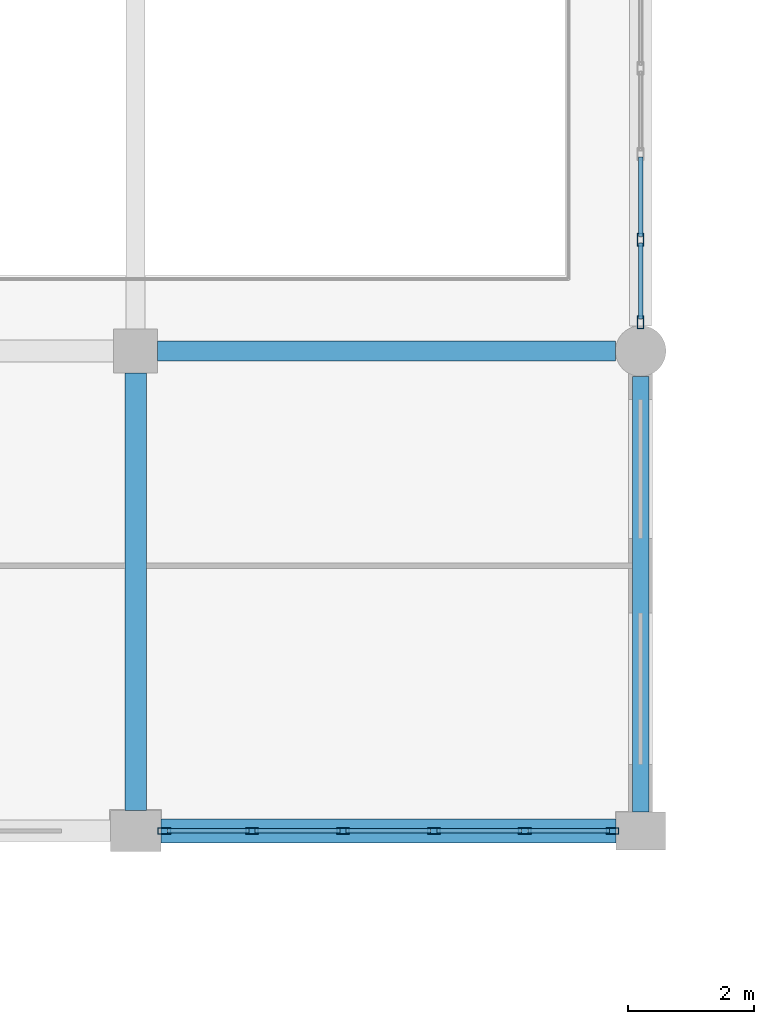
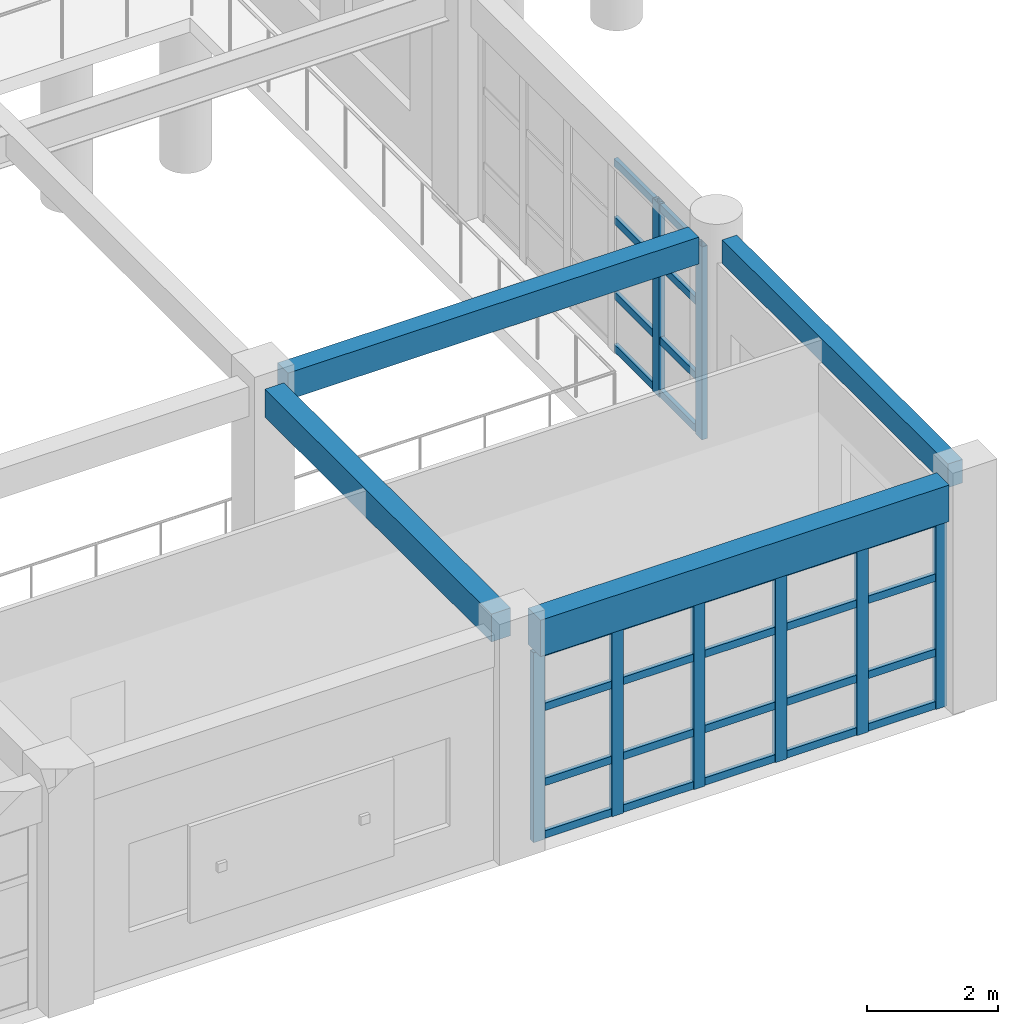
# One storey, part 80 of 166: 36 members, 4 beams, 2 elements without a shape of their own.
"""IFC4 building model written with IfcOpenShell, lengths in metres."""

from ifc_helpers import new_model, si_unit, direction, frame, origin, origin_2d, place, context, subcontext, project, spatial, rectangle, hollow_rectangle, extrude, material, material_profile, profile_set, type_object, element, aggregate, save


model = new_model("IFC4")

# Units and contexts
model_context = context("Model", 3, precision=1e-05, world=origin(), true_north=direction((0.0, 1.0)))
body_context = subcontext(model_context, "Body", "Model", "MODEL_VIEW")
ifc_project = project(units=[si_unit("LENGTHUNIT", "METRE"), si_unit("AREAUNIT", "SQUARE_METRE"), si_unit("VOLUMEUNIT", "CUBIC_METRE"), si_unit("PLANEANGLEUNIT", "RADIAN"), si_unit("MASSUNIT", "GRAM", prefix="KILO")], contexts=[model_context])

# Site, building, storey
site_placement = place(None, origin())
site = spatial("IfcSite", under=ifc_project, at=site_placement, CompositionType="ELEMENT")
building_placement = place(site_placement, origin())
building = spatial("IfcBuilding", under=site, at=building_placement, Name="Kharva Crest Polytechnic", CompositionType="ELEMENT")
storey_placement = place(building_placement, origin())
storey = spatial("IfcBuildingStorey", under=building, at=storey_placement, Name="L00", CompositionType="ELEMENT", Elevation=0.0)

# Beams
ifc_material_1 = material(Name="Concrete C35/45", Category="concrete")
ifc_material_profile_1 = material_profile(ifc_material_1, rectangle(XDim=0.320068359375, YDim=0.5, at=origin_2d()), Name="RECT 320 X 500")
ifc_profile_set_1 = profile_set([ifc_material_profile_1], Name="Concrete C35/45")
beam_type_1 = type_object("IfcBeamType", Name="BM-RC-320X500", PredefinedType="BEAM", material=ifc_profile_set_1)
beam_1_placement = place(storey_placement, frame((161.14990234375, 7.60009765625, 3.969970703125), z_axis=(1.0, 0.0, 0.0), x_axis=(0.0, 1.0, 0.0)))
element("IfcBeam", 1, at=beam_1_placement, inside=storey, type_object=beam_type_1, Name="L00 Beam B/21-22", PredefinedType="BEAM", context=body_context, shape_type="SweptSolid", body=[
    extrude(rectangle(XDim=0.320068359375, YDim=0.5, at=origin_2d()), origin(), (0.0, 0.0, 1.0), 7.25),
])
ifc_material_profile_2 = material_profile(ifc_material_1, rectangle(XDim=0.340087890625, YDim=0.52001953125, at=origin_2d()), Name="RECT 340 X 520")
ifc_profile_set_2 = profile_set([ifc_material_profile_2], Name="Concrete C35/45")
beam_type_2 = type_object("IfcBeamType", Name="BM-RC-340X520", PredefinedType="BEAM", material=ifc_profile_set_2)
beam_2_placement = place(storey_placement, frame((160.800048828125, 0.324951171875, 3.9599609375), z_axis=(0.0, 1.0, 0.0), x_axis=(-1.0, 0.0, 0.0)))
element("IfcBeam", 2, at=beam_2_placement, inside=storey, type_object=beam_type_2, Name="L00 Girder 21/A-B", PredefinedType="BEAM", context=body_context, shape_type="SweptSolid", body=[
    extrude(rectangle(XDim=0.340087890625, YDim=0.52001953125, at=origin_2d()), origin(), (0.0, 0.0, 1.0), 6.925048828125),
])

# Curtain wall, members
ifc_material_2 = material(Name="Tempered insulated glass", Category="glass")
curtain_wall_type = type_object("IfcCurtainWallType", Name="CW-SYS-REFECTORY", PredefinedType="USERDEFINED", material=ifc_material_2)
curtain_wall_1_placement = place(storey_placement, origin())
curtain_wall_1 = element("IfcCurtainWall", 3, at=curtain_wall_1_placement, inside=storey, type_object=curtain_wall_type, Name="L00 Glazed Curtain Wall CW-009", ObjectType="CURTAIN WALL", PredefinedType="USERDEFINED")
ifc_material_3 = material(Name="Steel S355", Category="steel")
ifc_material_profile_3 = material_profile(ifc_material_3, hollow_rectangle(XDim=0.10009765625, YDim=0.199951171875, WallThickness=0.00634765625, at=origin_2d()), Name="RHS 200X100X6.3")
ifc_profile_set_3 = profile_set([ifc_material_profile_3], Name="Steel S355")
member_type_1 = type_object("IfcMemberType", Name="CWM-RHS200X100", PredefinedType="MULLION", material=ifc_profile_set_3)
member_1_placement = place(storey_placement, frame((161.2548828125, 0.0, 0.0), z_axis=(0.0, 0.0, 1.0), x_axis=(0.0, 1.0, 0.0)))
member_1 = element("IfcMember", 4, at=member_1_placement, type_object=member_type_1, Name="CW-009 mullion 1", PredefinedType="MULLION", context=body_context, shape_type="SweptSolid", body=[
    extrude(hollow_rectangle(XDim=0.10009765625, YDim=0.199951171875, WallThickness=0.00634765625, at=origin_2d()), origin(), (0.0, 0.0, 1.0), 3.5400390625),
])
member_2_placement = place(storey_placement, frame((162.64501953125, 0.0, 0.0), z_axis=(0.0, 0.0, 1.0), x_axis=(0.0, 1.0, 0.0)))
member_2 = element("IfcMember", 5, at=member_2_placement, type_object=member_type_1, Name="CW-009 mullion 2", PredefinedType="MULLION", context=body_context, shape_type="SweptSolid", body=[
    extrude(hollow_rectangle(XDim=0.10009765625, YDim=0.199951171875, WallThickness=0.00634765625, at=origin_2d()), origin(), (0.0, 0.0, 1.0), 3.5400390625),
])
member_3_placement = place(storey_placement, frame((164.0849609375, 0.0, 0.0), z_axis=(0.0, 0.0, 1.0), x_axis=(0.0, 1.0, 0.0)))
member_3 = element("IfcMember", 6, at=member_3_placement, type_object=member_type_1, Name="CW-009 mullion 3", PredefinedType="MULLION", context=body_context, shape_type="SweptSolid", body=[
    extrude(hollow_rectangle(XDim=0.10009765625, YDim=0.199951171875, WallThickness=0.00634765625, at=origin_2d()), origin(), (0.0, 0.0, 1.0), 3.5400390625),
])
member_4_placement = place(storey_placement, frame((165.52490234375, 0.0, 0.0), z_axis=(0.0, 0.0, 1.0), x_axis=(0.0, 1.0, 0.0)))
member_4 = element("IfcMember", 7, at=member_4_placement, type_object=member_type_1, Name="CW-009 mullion 4", PredefinedType="MULLION", context=body_context, shape_type="SweptSolid", body=[
    extrude(hollow_rectangle(XDim=0.10009765625, YDim=0.199951171875, WallThickness=0.00634765625, at=origin_2d()), origin(), (0.0, 0.0, 1.0), 3.5400390625),
])
member_5_placement = place(storey_placement, frame((166.965087890625, 0.0, 0.0), z_axis=(0.0, 0.0, 1.0), x_axis=(0.0, 1.0, 0.0)))
member_5 = element("IfcMember", 8, at=member_5_placement, type_object=member_type_1, Name="CW-009 mullion 5", PredefinedType="MULLION", context=body_context, shape_type="SweptSolid", body=[
    extrude(hollow_rectangle(XDim=0.10009765625, YDim=0.199951171875, WallThickness=0.00634765625, at=origin_2d()), origin(), (0.0, 0.0, 1.0), 3.5400390625),
])
member_6_placement = place(storey_placement, frame((168.35498046875, 0.0, 0.0), z_axis=(0.0, 0.0, 1.0), x_axis=(0.0, 1.0, 0.0)))
member_6 = element("IfcMember", 9, at=member_6_placement, type_object=member_type_1, Name="CW-009 mullion 6", PredefinedType="MULLION", context=body_context, shape_type="SweptSolid", body=[
    extrude(hollow_rectangle(XDim=0.10009765625, YDim=0.199951171875, WallThickness=0.00634765625, at=origin_2d()), origin(), (0.0, 0.0, 1.0), 3.5400390625),
])

curtain_wall_2_placement = place(storey_placement, origin())
curtain_wall_2 = element("IfcCurtainWall", 10, at=curtain_wall_2_placement, inside=storey, type_object=curtain_wall_type, Name="L00 Glazed Curtain Wall CW-010", ObjectType="CURTAIN WALL", PredefinedType="USERDEFINED")
member_7_placement = place(storey_placement, frame((168.800048828125, 8.054931640625, 0.0), z_axis=(0.0, 0.0, 1.0), x_axis=(-1.0, 0.0, 0.0)))
member_7 = element("IfcMember", 11, at=member_7_placement, type_object=member_type_1, Name="CW-010 mullion 1", PredefinedType="MULLION", context=body_context, shape_type="SweptSolid", body=[
    extrude(hollow_rectangle(XDim=0.10009765625, YDim=0.199951171875, WallThickness=0.00634765625, at=origin_2d()), origin(), (0.0, 0.0, 1.0), 3.60009765625),
])
member_8_placement = place(storey_placement, frame((168.800048828125, 9.363037109375, 0.0), z_axis=(0.0, 0.0, 1.0), x_axis=(-1.0, 0.0, 0.0)))
member_8 = element("IfcMember", 12, at=member_8_placement, type_object=member_type_1, Name="CW-010 mullion 2", PredefinedType="MULLION", context=body_context, shape_type="SweptSolid", body=[
    extrude(hollow_rectangle(XDim=0.10009765625, YDim=0.199951171875, WallThickness=0.00634765625, at=origin_2d()), origin(), (0.0, 0.0, 1.0), 3.60009765625),
])

# Member
ifc_material_profile_4 = material_profile(ifc_material_3, hollow_rectangle(XDim=0.070068359375, YDim=0.139892578125, WallThickness=0.00390625, at=origin_2d()), Name="RHS 140X70X4.0")
ifc_profile_set_4 = profile_set([ifc_material_profile_4], Name="Steel S355")
member_type_2 = type_object("IfcMemberType", Name="CWT-RHS140X70", PredefinedType="USERDEFINED", material=ifc_profile_set_4)
member_9_placement = place(storey_placement, frame((161.304931640625, 0.0, 0.070068359375), z_axis=(1.0, 0.0, 0.0), x_axis=(0.0, 1.0, 0.0)))
member_9 = element("IfcMember", 13, at=member_9_placement, type_object=member_type_2, Name="CW-009 transom 1.1", ObjectType="TRANSOM", PredefinedType="USERDEFINED", context=body_context, shape_type="SweptSolid", body=[
    extrude(hollow_rectangle(XDim=0.070068359375, YDim=0.139892578125, WallThickness=0.00390625, at=origin_2d()), origin(), (0.0, 0.0, 1.0), 1.2900390625),
])

member_10_placement = place(storey_placement, frame((161.304931640625, 0.0, 1.050048828125), z_axis=(1.0, 0.0, 0.0), x_axis=(0.0, 1.0, 0.0)))
member_10 = element("IfcMember", 14, at=member_10_placement, type_object=member_type_2, Name="CW-009 transom 1.2", ObjectType="TRANSOM", PredefinedType="USERDEFINED", context=body_context, shape_type="SweptSolid", body=[
    extrude(hollow_rectangle(XDim=0.070068359375, YDim=0.139892578125, WallThickness=0.00390625, at=origin_2d()), origin(), (0.0, 0.0, 1.0), 1.2900390625),
])

member_11_placement = place(storey_placement, frame((161.304931640625, 0.0, 2.449951171875), z_axis=(1.0, 0.0, 0.0), x_axis=(0.0, 1.0, 0.0)))
member_11 = element("IfcMember", 15, at=member_11_placement, type_object=member_type_2, Name="CW-009 transom 1.3", ObjectType="TRANSOM", PredefinedType="USERDEFINED", context=body_context, shape_type="SweptSolid", body=[
    extrude(hollow_rectangle(XDim=0.070068359375, YDim=0.139892578125, WallThickness=0.00390625, at=origin_2d()), origin(), (0.0, 0.0, 1.0), 1.2900390625),
])

member_12_placement = place(storey_placement, frame((161.304931640625, 0.0, 3.469970703125), z_axis=(1.0, 0.0, 0.0), x_axis=(0.0, 1.0, 0.0)))
member_12 = element("IfcMember", 16, at=member_12_placement, type_object=member_type_2, Name="CW-009 transom 1.4", ObjectType="TRANSOM", PredefinedType="USERDEFINED", context=body_context, shape_type="SweptSolid", body=[
    extrude(hollow_rectangle(XDim=0.070068359375, YDim=0.139892578125, WallThickness=0.00390625, at=origin_2d()), origin(), (0.0, 0.0, 1.0), 1.2900390625),
])

member_13_placement = place(storey_placement, frame((162.695068359375, 0.0, 0.070068359375), z_axis=(1.0, 0.0, 0.0), x_axis=(0.0, 1.0, 0.0)))
member_13 = element("IfcMember", 17, at=member_13_placement, type_object=member_type_2, Name="CW-009 transom 2.1", ObjectType="TRANSOM", PredefinedType="USERDEFINED", context=body_context, shape_type="SweptSolid", body=[
    extrude(hollow_rectangle(XDim=0.070068359375, YDim=0.139892578125, WallThickness=0.00390625, at=origin_2d()), origin(), (0.0, 0.0, 1.0), 1.33984375),
])

member_14_placement = place(storey_placement, frame((162.695068359375, 0.0, 1.050048828125), z_axis=(1.0, 0.0, 0.0), x_axis=(0.0, 1.0, 0.0)))
member_14 = element("IfcMember", 18, at=member_14_placement, type_object=member_type_2, Name="CW-009 transom 2.2", ObjectType="TRANSOM", PredefinedType="USERDEFINED", context=body_context, shape_type="SweptSolid", body=[
    extrude(hollow_rectangle(XDim=0.070068359375, YDim=0.139892578125, WallThickness=0.00390625, at=origin_2d()), origin(), (0.0, 0.0, 1.0), 1.33984375),
])

member_15_placement = place(storey_placement, frame((162.695068359375, 0.0, 2.449951171875), z_axis=(1.0, 0.0, 0.0), x_axis=(0.0, 1.0, 0.0)))
member_15 = element("IfcMember", 19, at=member_15_placement, type_object=member_type_2, Name="CW-009 transom 2.3", ObjectType="TRANSOM", PredefinedType="USERDEFINED", context=body_context, shape_type="SweptSolid", body=[
    extrude(hollow_rectangle(XDim=0.070068359375, YDim=0.139892578125, WallThickness=0.00390625, at=origin_2d()), origin(), (0.0, 0.0, 1.0), 1.33984375),
])

member_16_placement = place(storey_placement, frame((162.695068359375, 0.0, 3.469970703125), z_axis=(1.0, 0.0, 0.0), x_axis=(0.0, 1.0, 0.0)))
member_16 = element("IfcMember", 20, at=member_16_placement, type_object=member_type_2, Name="CW-009 transom 2.4", ObjectType="TRANSOM", PredefinedType="USERDEFINED", context=body_context, shape_type="SweptSolid", body=[
    extrude(hollow_rectangle(XDim=0.070068359375, YDim=0.139892578125, WallThickness=0.00390625, at=origin_2d()), origin(), (0.0, 0.0, 1.0), 1.33984375),
])

member_17_placement = place(storey_placement, frame((164.135009765625, 0.0, 0.070068359375), z_axis=(1.0, 0.0, 0.0), x_axis=(0.0, 1.0, 0.0)))
member_17 = element("IfcMember", 21, at=member_17_placement, type_object=member_type_2, Name="CW-009 transom 3.1", ObjectType="TRANSOM", PredefinedType="USERDEFINED", context=body_context, shape_type="SweptSolid", body=[
    extrude(hollow_rectangle(XDim=0.070068359375, YDim=0.139892578125, WallThickness=0.00390625, at=origin_2d()), origin(), (0.0, 0.0, 1.0), 1.340087890625),
])

member_18_placement = place(storey_placement, frame((164.135009765625, 0.0, 1.050048828125), z_axis=(1.0, 0.0, 0.0), x_axis=(0.0, 1.0, 0.0)))
member_18 = element("IfcMember", 22, at=member_18_placement, type_object=member_type_2, Name="CW-009 transom 3.2", ObjectType="TRANSOM", PredefinedType="USERDEFINED", context=body_context, shape_type="SweptSolid", body=[
    extrude(hollow_rectangle(XDim=0.070068359375, YDim=0.139892578125, WallThickness=0.00390625, at=origin_2d()), origin(), (0.0, 0.0, 1.0), 1.340087890625),
])

member_19_placement = place(storey_placement, frame((164.135009765625, 0.0, 2.449951171875), z_axis=(1.0, 0.0, 0.0), x_axis=(0.0, 1.0, 0.0)))
member_19 = element("IfcMember", 23, at=member_19_placement, type_object=member_type_2, Name="CW-009 transom 3.3", ObjectType="TRANSOM", PredefinedType="USERDEFINED", context=body_context, shape_type="SweptSolid", body=[
    extrude(hollow_rectangle(XDim=0.070068359375, YDim=0.139892578125, WallThickness=0.00390625, at=origin_2d()), origin(), (0.0, 0.0, 1.0), 1.340087890625),
])

member_20_placement = place(storey_placement, frame((164.135009765625, 0.0, 3.469970703125), z_axis=(1.0, 0.0, 0.0), x_axis=(0.0, 1.0, 0.0)))
member_20 = element("IfcMember", 24, at=member_20_placement, type_object=member_type_2, Name="CW-009 transom 3.4", ObjectType="TRANSOM", PredefinedType="USERDEFINED", context=body_context, shape_type="SweptSolid", body=[
    extrude(hollow_rectangle(XDim=0.070068359375, YDim=0.139892578125, WallThickness=0.00390625, at=origin_2d()), origin(), (0.0, 0.0, 1.0), 1.340087890625),
])

member_21_placement = place(storey_placement, frame((165.574951171875, 0.0, 0.070068359375), z_axis=(1.0, 0.0, 0.0), x_axis=(0.0, 1.0, 0.0)))
member_21 = element("IfcMember", 25, at=member_21_placement, type_object=member_type_2, Name="CW-009 transom 4.1", ObjectType="TRANSOM", PredefinedType="USERDEFINED", context=body_context, shape_type="SweptSolid", body=[
    extrude(hollow_rectangle(XDim=0.070068359375, YDim=0.139892578125, WallThickness=0.00390625, at=origin_2d()), origin(), (0.0, 0.0, 1.0), 1.340087890625),
])

member_22_placement = place(storey_placement, frame((165.574951171875, 0.0, 1.050048828125), z_axis=(1.0, 0.0, 0.0), x_axis=(0.0, 1.0, 0.0)))
member_22 = element("IfcMember", 26, at=member_22_placement, type_object=member_type_2, Name="CW-009 transom 4.2", ObjectType="TRANSOM", PredefinedType="USERDEFINED", context=body_context, shape_type="SweptSolid", body=[
    extrude(hollow_rectangle(XDim=0.070068359375, YDim=0.139892578125, WallThickness=0.00390625, at=origin_2d()), origin(), (0.0, 0.0, 1.0), 1.340087890625),
])

member_23_placement = place(storey_placement, frame((165.574951171875, 0.0, 2.449951171875), z_axis=(1.0, 0.0, 0.0), x_axis=(0.0, 1.0, 0.0)))
member_23 = element("IfcMember", 27, at=member_23_placement, type_object=member_type_2, Name="CW-009 transom 4.3", ObjectType="TRANSOM", PredefinedType="USERDEFINED", context=body_context, shape_type="SweptSolid", body=[
    extrude(hollow_rectangle(XDim=0.070068359375, YDim=0.139892578125, WallThickness=0.00390625, at=origin_2d()), origin(), (0.0, 0.0, 1.0), 1.340087890625),
])

member_24_placement = place(storey_placement, frame((165.574951171875, 0.0, 3.469970703125), z_axis=(1.0, 0.0, 0.0), x_axis=(0.0, 1.0, 0.0)))
member_24 = element("IfcMember", 28, at=member_24_placement, type_object=member_type_2, Name="CW-009 transom 4.4", ObjectType="TRANSOM", PredefinedType="USERDEFINED", context=body_context, shape_type="SweptSolid", body=[
    extrude(hollow_rectangle(XDim=0.070068359375, YDim=0.139892578125, WallThickness=0.00390625, at=origin_2d()), origin(), (0.0, 0.0, 1.0), 1.340087890625),
])

member_25_placement = place(storey_placement, frame((167.014892578125, 0.0, 0.070068359375), z_axis=(1.0, 0.0, 0.0), x_axis=(0.0, 1.0, 0.0)))
member_25 = element("IfcMember", 29, at=member_25_placement, type_object=member_type_2, Name="CW-009 transom 5.1", ObjectType="TRANSOM", PredefinedType="USERDEFINED", context=body_context, shape_type="SweptSolid", body=[
    extrude(hollow_rectangle(XDim=0.070068359375, YDim=0.139892578125, WallThickness=0.00390625, at=origin_2d()), origin(), (0.0, 0.0, 1.0), 1.2900390625),
])

member_26_placement = place(storey_placement, frame((167.014892578125, 0.0, 1.050048828125), z_axis=(1.0, 0.0, 0.0), x_axis=(0.0, 1.0, 0.0)))
member_26 = element("IfcMember", 30, at=member_26_placement, type_object=member_type_2, Name="CW-009 transom 5.2", ObjectType="TRANSOM", PredefinedType="USERDEFINED", context=body_context, shape_type="SweptSolid", body=[
    extrude(hollow_rectangle(XDim=0.070068359375, YDim=0.139892578125, WallThickness=0.00390625, at=origin_2d()), origin(), (0.0, 0.0, 1.0), 1.2900390625),
])

member_27_placement = place(storey_placement, frame((167.014892578125, 0.0, 2.449951171875), z_axis=(1.0, 0.0, 0.0), x_axis=(0.0, 1.0, 0.0)))
member_27 = element("IfcMember", 31, at=member_27_placement, type_object=member_type_2, Name="CW-009 transom 5.3", ObjectType="TRANSOM", PredefinedType="USERDEFINED", context=body_context, shape_type="SweptSolid", body=[
    extrude(hollow_rectangle(XDim=0.070068359375, YDim=0.139892578125, WallThickness=0.00390625, at=origin_2d()), origin(), (0.0, 0.0, 1.0), 1.2900390625),
])

member_28_placement = place(storey_placement, frame((167.014892578125, 0.0, 3.469970703125), z_axis=(1.0, 0.0, 0.0), x_axis=(0.0, 1.0, 0.0)))
member_28 = element("IfcMember", 32, at=member_28_placement, type_object=member_type_2, Name="CW-009 transom 5.4", ObjectType="TRANSOM", PredefinedType="USERDEFINED", context=body_context, shape_type="SweptSolid", body=[
    extrude(hollow_rectangle(XDim=0.070068359375, YDim=0.139892578125, WallThickness=0.00390625, at=origin_2d()), origin(), (0.0, 0.0, 1.0), 1.2900390625),
])

aggregate(curtain_wall_1, [member_1, member_2, member_3, member_4, member_5, member_6, member_9, member_10, member_11, member_12, member_13, member_14, member_15, member_16, member_17, member_18, member_19, member_20, member_21, member_22, member_23, member_24, member_25, member_26, member_27, member_28])

member_29_placement = place(storey_placement, frame((168.800048828125, 8.10498046875, 0.070068359375), z_axis=(0.0, 1.0, 0.0), x_axis=(-1.0, 0.0, 0.0)))
member_29 = element("IfcMember", 33, at=member_29_placement, type_object=member_type_2, Name="CW-010 transom 1.1", ObjectType="TRANSOM", PredefinedType="USERDEFINED", context=body_context, shape_type="SweptSolid", body=[
    extrude(hollow_rectangle(XDim=0.070068359375, YDim=0.139892578125, WallThickness=0.00390625, at=origin_2d()), origin(), (0.0, 0.0, 1.0), 1.2080078125),
])

member_30_placement = place(storey_placement, frame((168.800048828125, 8.10498046875, 1.050048828125), z_axis=(0.0, 1.0, 0.0), x_axis=(-1.0, 0.0, 0.0)))
member_30 = element("IfcMember", 34, at=member_30_placement, type_object=member_type_2, Name="CW-010 transom 1.2", ObjectType="TRANSOM", PredefinedType="USERDEFINED", context=body_context, shape_type="SweptSolid", body=[
    extrude(hollow_rectangle(XDim=0.070068359375, YDim=0.139892578125, WallThickness=0.00390625, at=origin_2d()), origin(), (0.0, 0.0, 1.0), 1.2080078125),
])

member_31_placement = place(storey_placement, frame((168.800048828125, 8.10498046875, 2.449951171875), z_axis=(0.0, 1.0, 0.0), x_axis=(-1.0, 0.0, 0.0)))
member_31 = element("IfcMember", 35, at=member_31_placement, type_object=member_type_2, Name="CW-010 transom 1.3", ObjectType="TRANSOM", PredefinedType="USERDEFINED", context=body_context, shape_type="SweptSolid", body=[
    extrude(hollow_rectangle(XDim=0.070068359375, YDim=0.139892578125, WallThickness=0.00390625, at=origin_2d()), origin(), (0.0, 0.0, 1.0), 1.2080078125),
])

member_32_placement = place(storey_placement, frame((168.800048828125, 8.10498046875, 3.530029296875), z_axis=(0.0, 1.0, 0.0), x_axis=(-1.0, 0.0, 0.0)))
member_32 = element("IfcMember", 36, at=member_32_placement, type_object=member_type_2, Name="CW-010 transom 1.4", ObjectType="TRANSOM", PredefinedType="USERDEFINED", context=body_context, shape_type="SweptSolid", body=[
    extrude(hollow_rectangle(XDim=0.070068359375, YDim=0.139892578125, WallThickness=0.00390625, at=origin_2d()), origin(), (0.0, 0.0, 1.0), 1.2080078125),
])

member_33_placement = place(storey_placement, frame((168.800048828125, 9.4130859375, 0.070068359375), z_axis=(0.0, 1.0, 0.0), x_axis=(-1.0, 0.0, 0.0)))
member_33 = element("IfcMember", 37, at=member_33_placement, type_object=member_type_2, Name="CW-010 transom 2.1", ObjectType="TRANSOM", PredefinedType="USERDEFINED", context=body_context, shape_type="SweptSolid", body=[
    extrude(hollow_rectangle(XDim=0.070068359375, YDim=0.139892578125, WallThickness=0.00390625, at=origin_2d()), origin(), (0.0, 0.0, 1.0), 1.2578125),
])

member_34_placement = place(storey_placement, frame((168.800048828125, 9.4130859375, 1.050048828125), z_axis=(0.0, 1.0, 0.0), x_axis=(-1.0, 0.0, 0.0)))
member_34 = element("IfcMember", 38, at=member_34_placement, type_object=member_type_2, Name="CW-010 transom 2.2", ObjectType="TRANSOM", PredefinedType="USERDEFINED", context=body_context, shape_type="SweptSolid", body=[
    extrude(hollow_rectangle(XDim=0.070068359375, YDim=0.139892578125, WallThickness=0.00390625, at=origin_2d()), origin(), (0.0, 0.0, 1.0), 1.2578125),
])

member_35_placement = place(storey_placement, frame((168.800048828125, 9.4130859375, 2.449951171875), z_axis=(0.0, 1.0, 0.0), x_axis=(-1.0, 0.0, 0.0)))
member_35 = element("IfcMember", 39, at=member_35_placement, type_object=member_type_2, Name="CW-010 transom 2.3", ObjectType="TRANSOM", PredefinedType="USERDEFINED", context=body_context, shape_type="SweptSolid", body=[
    extrude(hollow_rectangle(XDim=0.070068359375, YDim=0.139892578125, WallThickness=0.00390625, at=origin_2d()), origin(), (0.0, 0.0, 1.0), 1.2578125),
])

member_36_placement = place(storey_placement, frame((168.800048828125, 9.4130859375, 3.530029296875), z_axis=(0.0, 1.0, 0.0), x_axis=(-1.0, 0.0, 0.0)))
member_36 = element("IfcMember", 40, at=member_36_placement, type_object=member_type_2, Name="CW-010 transom 2.4", ObjectType="TRANSOM", PredefinedType="USERDEFINED", context=body_context, shape_type="SweptSolid", body=[
    extrude(hollow_rectangle(XDim=0.070068359375, YDim=0.139892578125, WallThickness=0.00390625, at=origin_2d()), origin(), (0.0, 0.0, 1.0), 1.2578125),
])

aggregate(curtain_wall_2, [member_7, member_8, member_29, member_30, member_31, member_32, member_33, member_34, member_35, member_36])

# Beams
ifc_material_profile_5 = material_profile(ifc_material_1, rectangle(XDim=0.260009765625, YDim=0.43994140625, at=origin_2d()), Name="RECT 260 X 440")
ifc_profile_set_5 = profile_set([ifc_material_profile_5], Name="Concrete C35/45")
beam_type_3 = type_object("IfcBeamType", Name="SP-RC-260X440", PredefinedType="SPANDREL", material=ifc_profile_set_5)
beam_3_placement = place(storey_placement, frame((168.800048828125, 0.300048828125, 4.0), z_axis=(0.0, 1.0, 0.0), x_axis=(-1.0, 0.0, 0.0)))
element("IfcBeam", 41, at=beam_3_placement, inside=storey, type_object=beam_type_3, Name="L00 Girder 22/A-B", PredefinedType="SPANDREL", context=body_context, shape_type="SweptSolid", body=[
    extrude(rectangle(XDim=0.260009765625, YDim=0.43994140625, at=origin_2d()), origin(), (0.0, 0.0, 1.0), 6.89990234375),
])
ifc_material_profile_6 = material_profile(ifc_material_1, rectangle(XDim=0.3798828125, YDim=0.679931640625, at=origin_2d()), Name="RECT 380 X 680")
ifc_profile_set_6 = profile_set([ifc_material_profile_6], Name="Concrete C35/45")
beam_type_4 = type_object("IfcBeamType", Name="SP-RC-380X680", PredefinedType="SPANDREL", material=ifc_profile_set_6)
beam_4_placement = place(storey_placement, frame((161.199951171875, 0.0, 3.8798828125), z_axis=(1.0, 0.0, 0.0), x_axis=(0.0, 1.0, 0.0)))
element("IfcBeam", 42, at=beam_4_placement, inside=storey, type_object=beam_type_4, Name="L00 Beam A/21-22", PredefinedType="SPANDREL", context=body_context, shape_type="SweptSolid", body=[
    extrude(rectangle(XDim=0.3798828125, YDim=0.679931640625, at=origin_2d()), origin(), (0.0, 0.0, 1.0), 7.2099609375),
])

save(model, "model.ifc")
